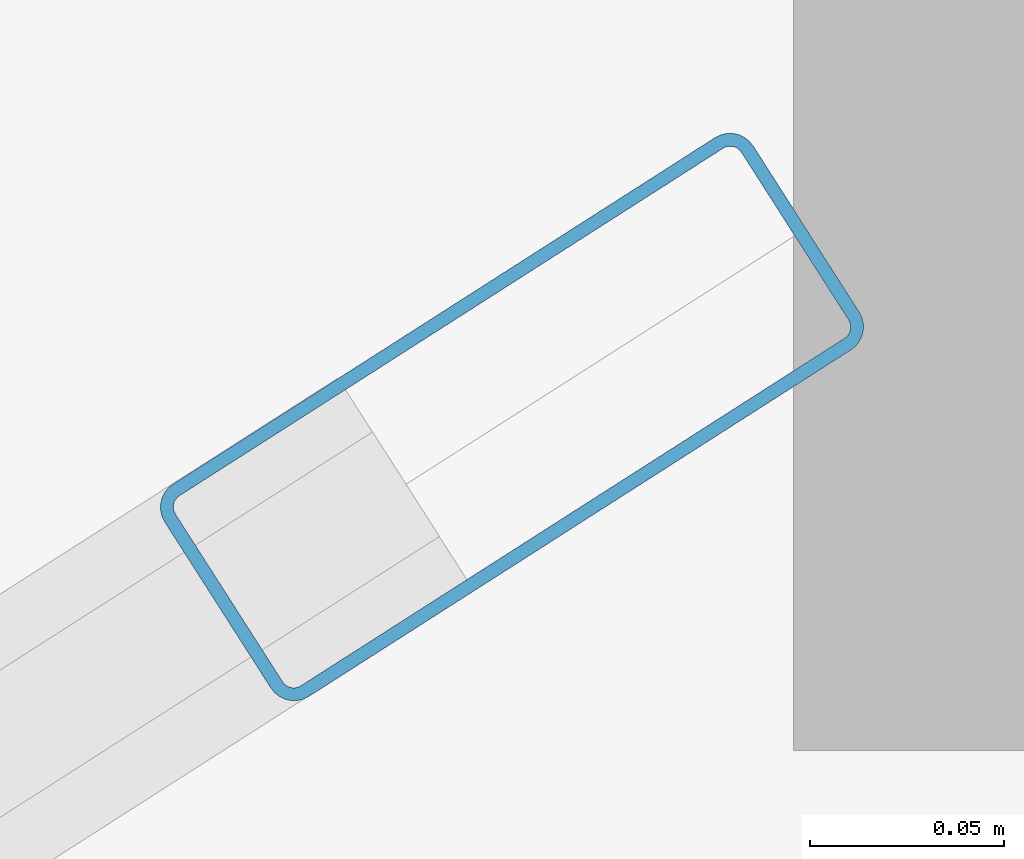
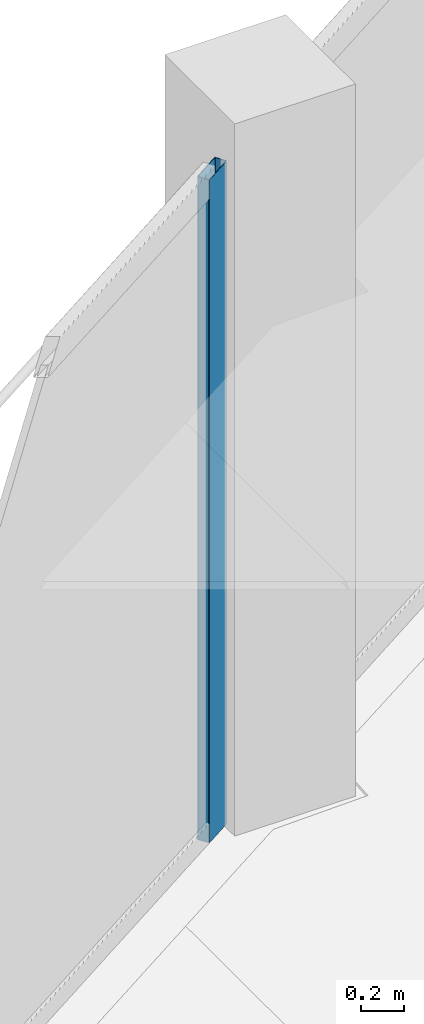
# One storey, part 22 of 45: 1 member, 1 element without a shape of its own.
"""IFC4 building model written with IfcOpenShell, lengths in metres."""

from ifc_helpers import new_model, si_unit, direction, frame, origin, origin_2d, place, context, subcontext, project, spatial, hollow_rectangle, extrude, material, layer, layer_set, material_profile, profile_set, type_object, element, aggregate, save


model = new_model("IFC4")

# Units and contexts
model_context = context("Model", 3, precision=1e-05, world=origin(), true_north=direction((0.0, 1.0)))
body_context = subcontext(model_context, "Body", "Model", "MODEL_VIEW")
ifc_project = project(units=[si_unit("LENGTHUNIT", "METRE"), si_unit("AREAUNIT", "SQUARE_METRE"), si_unit("VOLUMEUNIT", "CUBIC_METRE"), si_unit("PLANEANGLEUNIT", "RADIAN"), si_unit("MASSUNIT", "GRAM", prefix="KILO")], contexts=[model_context])

# Site, building, storey
site_placement = place(None, origin())
site = spatial("IfcSite", under=ifc_project, at=site_placement, CompositionType="ELEMENT")
building_placement = place(site_placement, origin())
building = spatial("IfcBuilding", under=site, at=building_placement, Name="Qorvath Tower", CompositionType="ELEMENT")
storey_placement = place(building_placement, frame((0.0, 0.0, 109.800048828125)))
storey = spatial("IfcBuildingStorey", under=building, at=storey_placement, Name="L24", CompositionType="ELEMENT", Elevation=109.800048828125)

# Curtain wall, member
ifc_material_1 = material(Name="Anodised aluminium and triple low-E glass", Category="aluminium")
ifc_layer = layer(ifc_material_1, 0.179931640625)
ifc_layer_set = layer_set([ifc_layer], Name="CW-SYS-2")
curtain_wall_type = type_object("IfcCurtainWallType", Name="CW-SYS-2", PredefinedType="NOTDEFINED", material=ifc_layer_set)
curtain_wall_placement = place(storey_placement, origin())
curtain_wall = element("IfcCurtainWall", 1, at=curtain_wall_placement, inside=storey, type_object=curtain_wall_type, Name="Curtain Wall CW-2 CW-T-L24-16.2", PredefinedType="NOTDEFINED")
ifc_material_2 = material(Name="Anodised aluminium 6063-T6", Category="aluminium")
ifc_material_profile = material_profile(ifc_material_2, hollow_rectangle(XDim=0.06494140625, YDim=0.179931640625, WallThickness=0.00341796875, InnerFilletRadius=0.00341796875, OuterFilletRadius=0.007080078125, at=origin_2d()), Name="CWM 180x65")
ifc_profile_set = profile_set([ifc_material_profile], Name="Anodised aluminium 6063-T6")
member_type = type_object("IfcMemberType", Name="CWM-180", PredefinedType="MULLION", material=ifc_profile_set)
member_placement = place(storey_placement, frame((-25.43505859375, 24.81982421875, 0.0), z_axis=(0.0, 0.0, 1.0), x_axis=(0.538542779135, -0.84259816938, 0.0)))
member = element("IfcMember", 2, at=member_placement, type_object=member_type, Name="CW-2 mullion 1", PredefinedType="MULLION", context=body_context, shape_type="SweptSolid", body=[
    extrude(hollow_rectangle(XDim=0.06494140625, YDim=0.179931640625, WallThickness=0.00341796875, InnerFilletRadius=0.00341796875, OuterFilletRadius=0.007080078125, at=origin_2d()), origin(), (0.0, 0.0, 1.0), 3.77001953125),
])
aggregate(curtain_wall, [member])

save(model, "model.ifc")
